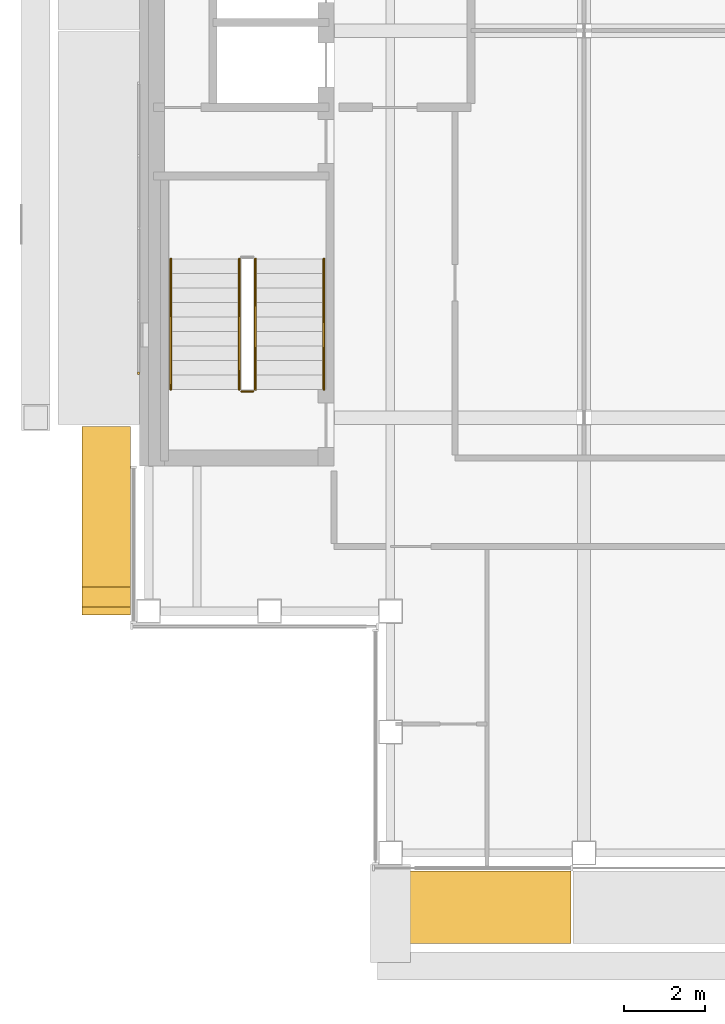
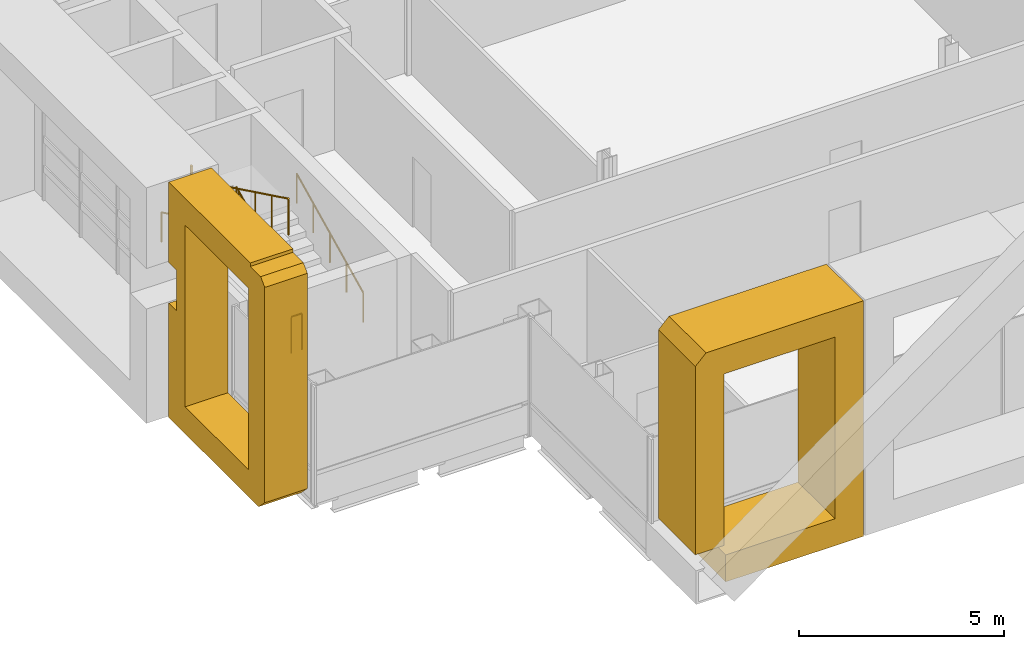
# One storey, part 15 of 23: 5 railings, 3 coverings.
"""IFC4 building model written with IfcOpenShell, lengths in metres."""

from ifc_helpers import new_model, si_unit, direction, frame, origin, origin_2d, place, context, subcontext, project, spatial, polyline, rectangle, circle, outline, extrude, material, type_object, element, save


model = new_model("IFC4")

# Units and contexts
model_context = context("Model", 3, precision=1e-05, world=origin(), true_north=direction((0.0, 1.0)))
body_context = subcontext(model_context, "Body", "Model", "MODEL_VIEW")
ifc_project = project(units=[si_unit("LENGTHUNIT", "METRE"), si_unit("AREAUNIT", "SQUARE_METRE"), si_unit("VOLUMEUNIT", "CUBIC_METRE"), si_unit("PLANEANGLEUNIT", "RADIAN"), si_unit("MASSUNIT", "GRAM", prefix="KILO")], contexts=[model_context])

# Site, building, storey
site_placement = place(None, origin())
site = spatial("IfcSite", under=ifc_project, at=site_placement, CompositionType="ELEMENT")
building_placement = place(site_placement, origin())
building = spatial("IfcBuilding", under=site, at=building_placement, Name="Cobrizo Arcos Hotel Tower", CompositionType="ELEMENT")
storey_placement = place(building_placement, frame((0.0, 0.0, 255.0)))
storey = spatial("IfcBuildingStorey", under=building, at=storey_placement, Name="L67", CompositionType="ELEMENT", Elevation=255.0)

# Coverings
ifc_material_1 = material(Name="Aluminium 6063-T6 anodised bronze", Category="aluminium")
covering_type_1 = type_object("IfcCoveringType", Name="FIN-F 1200", PredefinedType="CLADDING", material=ifc_material_1)
covering_1_placement = place(storey_placement, frame((-20.85009765625, -9.824951171875, 0.0), z_axis=(-1.0, 0.0, 0.0), x_axis=(0.0, -1.0, 0.0)))
element("IfcCovering", 1, at=covering_1_placement, inside=storey, type_object=covering_type_1, Name="Fin frame 434", PredefinedType="CLADDING", context=body_context, shape_type="SweptSolid", body=[
    extrude(outline(polyline([(4.675048828125, 6.699951171875), (4.47705078125, 6.89794921875), (3.972900390625, 6.89794921875), (3.972900390625, 7.0), (0.0, 7.0), (0.0, 4.60205078125), (0.376953125, 4.60205078125), (0.376953125, 3.39794921875), (0.0, 3.39794921875), (0.0, 0.0), (4.375, 0.0), (4.675048828125, 0.300048828125), (4.675048828125, 6.699951171875)]), holes=[polyline([(3.875, 0.800048828125), (0.800048828125, 0.800048828125), (0.800048828125, 6.199951171875), (3.875, 6.199951171875), (3.875, 0.800048828125)])]), origin(), (0.0, 0.0, 1.0), 1.199951171875),
])
covering_type_2 = type_object("IfcCoveringType", Name="FIN-F 1800", PredefinedType="CLADDING", material=ifc_material_1)
covering_2_placement = place(storey_placement, frame((-14.64990234375, -20.85009765625, 0.0), z_axis=(0.0, -1.0, 0.0), x_axis=(1.0, 0.0, 0.0)))
element("IfcCovering", 2, at=covering_2_placement, inside=storey, type_object=covering_type_2, Name="Fin frame 415", PredefinedType="CLADDING", context=body_context, shape_type="SweptSolid", body=[
    extrude(outline(polyline([(0.0, 6.699951171875), (0.0, 1.10205078125), (0.800048828125, 1.10205078125), (0.800048828125, 6.199951171875), (3.925048828125, 6.199951171875), (3.925048828125, 0.800048828125), (0.85205078125, 0.800048828125), (0.85205078125, 0.0), (4.72509765625, 0.0), (4.72509765625, 7.0), (0.300048828125, 7.0), (0.0, 6.699951171875)])), origin(), (0.0, 0.0, 1.0), 1.7998046875),
])
ifc_material_2 = material(Name="Aluminium 6063-T6 anodised pale", Category="aluminium")
covering_type_3 = type_object("IfcCoveringType", Name="RS-2 rainscreen rib 60x50", PredefinedType="CLADDING", material=ifc_material_2)
covering_3_placement = place(storey_placement, frame((-20.64990234375, -8.5, 0.800048828125), z_axis=(0.0, 0.0, 1.0), x_axis=(0.0, -1.0, 0.0)))
element("IfcCovering", 3, at=covering_3_placement, inside=storey, type_object=covering_type_3, Name="Rainscreen rib 340", PredefinedType="CLADDING", context=body_context, shape_type="SweptSolid", body=[
    extrude(rectangle(XDim=0.06005859375, YDim=0.050048828125, at=origin_2d()), origin(), (0.0, 0.0, 1.0), 5.39990234375),
])

# Railings
ifc_material_3 = material(Name="Stainless steel railing", Category="steel")
railing_type_1 = type_object("IfcRailingType", Name="Stair guard 1100", PredefinedType="GUARDRAIL", material=ifc_material_3)
railing_1_placement = place(storey_placement, frame((-17.75, -8.89990234375, 0.175048828125)))
element("IfcRailing", 4, at=railing_1_placement, inside=storey, type_object=railing_type_1, Name="L67 ST-W stair guard 1", PredefinedType="GUARDRAIL", context=body_context, shape_type="SweptSolid", body=[
    extrude(circle(Radius=0.02392578125, at=origin_2d()), frame((0.0, 0.0, 1.076171875), z_axis=(0.0, 0.899372665325, 0.437182809435), x_axis=(-1.0, 0.0, 0.0)), (0.0, 0.0, 1.0), 3.6025390625),
    extrude(circle(Radius=0.02099609375, at=origin_2d()), origin(), (0.0, 0.0, 1.0), 1.052001953125),
    extrude(circle(Radius=0.02099609375, at=origin_2d()), frame((0.0, 0.81005859375, 0.393798828125)), (0.0, 0.0, 1.0), 1.052001953125),
    extrude(circle(Radius=0.02099609375, at=origin_2d()), frame((0.0, 1.6201171875, 0.78759765625)), (0.0, 0.0, 1.0), 1.052001953125),
    extrude(circle(Radius=0.02099609375, at=origin_2d()), frame((0.0, 2.429931640625, 1.18115234375)), (0.0, 0.0, 1.0), 1.052001953125),
    extrude(circle(Radius=0.02099609375, at=origin_2d()), frame((0.0, 3.239990234375, 1.574951171875)), (0.0, 0.0, 1.0), 1.052001953125),
])
railing_2_placement = place(storey_placement, frame((-18.14990234375, -5.659912109375, 1.925048828125)))
element("IfcRailing", 5, at=railing_2_placement, inside=storey, type_object=railing_type_1, Name="L67 ST-W stair guard 3", PredefinedType="GUARDRAIL", context=body_context, shape_type="SweptSolid", body=[
    extrude(circle(Radius=0.02392578125, at=origin_2d()), frame((0.0, 0.0, 1.076171875), z_axis=(0.0, -0.899372665325, 0.437182809435), x_axis=(1.0, 0.0, 0.0)), (0.0, 0.0, 1.0), 3.6025390625),
    extrude(circle(Radius=0.02099609375, at=origin_2d()), origin(), (0.0, 0.0, 1.0), 1.052001953125),
    extrude(circle(Radius=0.02099609375, at=origin_2d()), frame((0.0, -0.81005859375, 0.393798828125)), (0.0, 0.0, 1.0), 1.052001953125),
    extrude(circle(Radius=0.02099609375, at=origin_2d()), frame((0.0, -1.6201171875, 0.78759765625)), (0.0, 0.0, 1.0), 1.052001953125),
    extrude(circle(Radius=0.02099609375, at=origin_2d()), frame((0.0, -2.429931640625, 1.18115234375)), (0.0, 0.0, 1.0), 1.052001953125),
    extrude(circle(Radius=0.02099609375, at=origin_2d()), frame((0.0, -3.239990234375, 1.574951171875)), (0.0, 0.0, 1.0), 1.052001953125),
])
railing_3_placement = place(storey_placement, frame((-17.800048828125, -8.949951171875, 0.0)))
element("IfcRailing", 6, at=railing_3_placement, inside=storey, type_object=railing_type_1, Name="L67 ST-W stair guard 4", PredefinedType="GUARDRAIL", context=body_context, shape_type="SweptSolid", body=[
    extrude(circle(Radius=0.02392578125, at=origin_2d()), frame((0.0, 0.0, 1.076171875), z_axis=(-1.0, 0.0, 0.0), x_axis=(0.0, -1.0, 0.0)), (0.0, 0.0, 1.0), 0.300048828125),
    extrude(circle(Radius=0.02099609375, at=origin_2d()), origin(), (0.0, 0.0, 1.0), 1.052001953125),
    extrude(circle(Radius=0.02099609375, at=origin_2d()), frame((-0.300048828125, 0.0, 0.0)), (0.0, 0.0, 1.0), 1.052001953125),
])
railing_type_2 = type_object("IfcRailingType", Name="Stair handrail", PredefinedType="HANDRAIL", material=ifc_material_3)
railing_4_placement = place(storey_placement, frame((-16.050048828125, -8.89990234375, 0.175048828125)))
element("IfcRailing", 7, at=railing_4_placement, inside=storey, type_object=railing_type_2, Name="L67 ST-W stair handrail 1", PredefinedType="HANDRAIL", context=body_context, shape_type="SweptSolid", body=[
    extrude(circle(Radius=0.02392578125, at=origin_2d()), frame((0.0, 0.0, 0.8759765625), z_axis=(0.0, 0.899372665325, 0.437182809435), x_axis=(-1.0, 0.0, 0.0)), (0.0, 0.0, 1.0), 3.6025390625),
    extrude(circle(Radius=0.02099609375, at=origin_2d()), origin(), (0.0, 0.0, 1.0), 0.851806640625),
    extrude(circle(Radius=0.02099609375, at=origin_2d()), frame((0.0, 0.81005859375, 0.393798828125)), (0.0, 0.0, 1.0), 0.851806640625),
    extrude(circle(Radius=0.02099609375, at=origin_2d()), frame((0.0, 1.6201171875, 0.78759765625)), (0.0, 0.0, 1.0), 0.851806640625),
    extrude(circle(Radius=0.02099609375, at=origin_2d()), frame((0.0, 2.429931640625, 1.18115234375)), (0.0, 0.0, 1.0), 0.851806640625),
    extrude(circle(Radius=0.02099609375, at=origin_2d()), frame((0.0, 3.239990234375, 1.574951171875)), (0.0, 0.0, 1.0), 0.851806640625),
])
railing_5_placement = place(storey_placement, frame((-19.85009765625, -5.659912109375, 1.925048828125)))
element("IfcRailing", 8, at=railing_5_placement, inside=storey, type_object=railing_type_2, Name="L67 ST-W stair handrail 2", PredefinedType="HANDRAIL", context=body_context, shape_type="SweptSolid", body=[
    extrude(circle(Radius=0.02392578125, at=origin_2d()), frame((0.0, 0.0, 0.8759765625), z_axis=(0.0, -0.899372665325, 0.437182809435), x_axis=(1.0, 0.0, 0.0)), (0.0, 0.0, 1.0), 3.6025390625),
    extrude(circle(Radius=0.02099609375, at=origin_2d()), origin(), (0.0, 0.0, 1.0), 0.851806640625),
    extrude(circle(Radius=0.02099609375, at=origin_2d()), frame((0.0, -0.81005859375, 0.393798828125)), (0.0, 0.0, 1.0), 0.851806640625),
    extrude(circle(Radius=0.02099609375, at=origin_2d()), frame((0.0, -1.6201171875, 0.78759765625)), (0.0, 0.0, 1.0), 0.851806640625),
    extrude(circle(Radius=0.02099609375, at=origin_2d()), frame((0.0, -2.429931640625, 1.18115234375)), (0.0, 0.0, 1.0), 0.851806640625),
    extrude(circle(Radius=0.02099609375, at=origin_2d()), frame((0.0, -3.239990234375, 1.574951171875)), (0.0, 0.0, 1.0), 0.851806640625),
])

save(model, "model.ifc")
